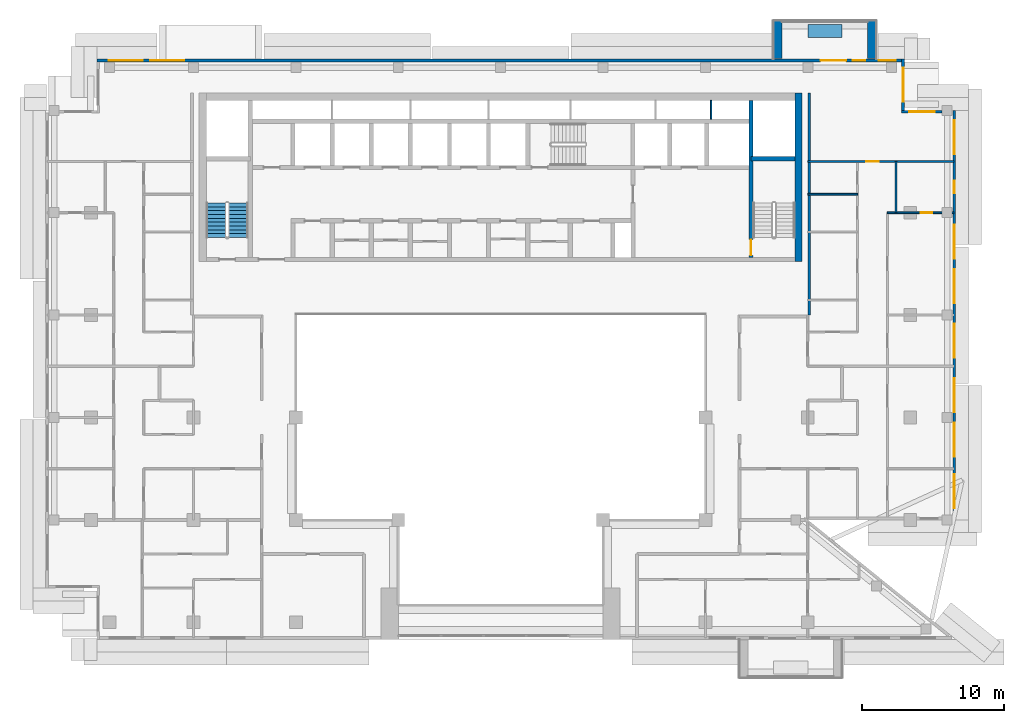
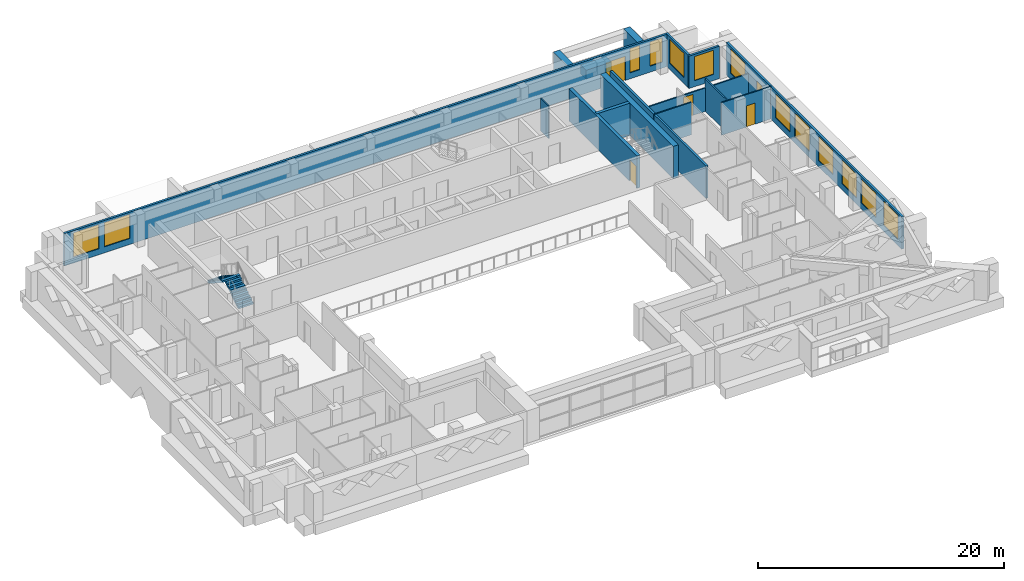
# One storey, part 11 of 19: 16 walls, 14 windows, 4 doors, 2 stair flights, 18 openings, 1 element without a shape of its own.
"""IFC4 building model written with IfcOpenShell, lengths in metres."""

from ifc_helpers import new_model, si_unit, direction, frame, frame_2d, origin, place, context, subcontext, project, spatial, polyline, rectangle, outline, extrude, material, layer, layer_set, type_object, element, fill, aggregate, save


model = new_model("IFC4")

# Units and contexts
model_context = context("Model", 3, precision=1e-05, world=origin(), true_north=direction((0.0, 1.0)))
body_context = subcontext(model_context, "Body", "Model", "MODEL_VIEW")
ifc_project = project(units=[si_unit("LENGTHUNIT", "METRE"), si_unit("AREAUNIT", "SQUARE_METRE"), si_unit("VOLUMEUNIT", "CUBIC_METRE"), si_unit("PLANEANGLEUNIT", "RADIAN"), si_unit("MASSUNIT", "GRAM", prefix="KILO")], contexts=[model_context])

# Site, building, storey
site_placement = place(None, origin())
site = spatial("IfcSite", under=ifc_project, at=site_placement, CompositionType="ELEMENT")
building_placement = place(site_placement, origin())
building = spatial("IfcBuilding", under=site, at=building_placement, Name="Saffron Iwan Residences", CompositionType="ELEMENT")
storey_placement = place(building_placement, frame((0.0, 0.0, 215.0)))
storey = spatial("IfcBuildingStorey", under=building, at=storey_placement, Name="L57", CompositionType="ELEMENT", Elevation=215.0)

# Walls
ifc_material_1 = material(Name="Concrete C50/60 white painted", Category="concrete")
ifc_layer_1 = layer(ifc_material_1, 0.60009765625)
ifc_layer_set_1 = layer_set([ifc_layer_1], Name="Concrete C50/60 white painted")
wall_type_1 = type_object("IfcWallType", Name="BALCONY FIN 600", PredefinedType="SOLIDWALL", material=ifc_layer_set_1)
for number, where, z_axis, x_axis, name in (
    (1, (76.5, 80.449951171875, 0.0), (0.0, 0.0, 1.0), (0.0, 1.0, 0.0), "Balcony fin L57 F5-0a"),
    (2, (69.89990234375, 80.449951171875, 0.0), (0.0, 0.0, 1.0), (0.0, 1.0, 0.0), "Balcony fin L57 F5-0b"),
):
    element("IfcWall", number, at=place(storey_placement, frame(where, z_axis=z_axis, x_axis=x_axis)), inside=storey, type_object=wall_type_1, Name=name, PredefinedType="SOLIDWALL", context=body_context, shape_type="SweptSolid", body=[
        extrude(rectangle(XDim=2.650146484375, YDim=0.60009765625, at=frame_2d((1.3251953125, 0.0))), origin(), (0.0, 0.0, 1.0), 2.85009765625),
    ])
ifc_material_2 = material(Name="Concrete C35/45 white painted", Category="concrete")
ifc_layer_2 = layer(ifc_material_2, 0.14990234375)
ifc_layer_set_2 = layer_set([ifc_layer_2], Name="Concrete C35/45 white painted")
wall_type_2 = type_object("IfcWallType", Name="BALCONY PLANTER", PredefinedType="SOLIDWALL", material=ifc_layer_set_2)
wall_1_placement = place(storey_placement, frame((74.39990234375, 82.375, 0.0), z_axis=(0.0, 0.0, 1.0), x_axis=(-1.0, 0.0, 0.0)))
element("IfcWall", 3, at=wall_1_placement, inside=storey, type_object=wall_type_2, Name="PLANTER L57 F5-0", PredefinedType="SOLIDWALL", context=body_context, shape_type="SweptSolid", body=[
    extrude(rectangle(XDim=2.39990234375, YDim=0.89990234375, at=frame_2d((1.199951171875, 0.0))), origin(), (0.0, 0.0, 1.0), 0.89990234375),
])

# Wall, openings, windows
ifc_material_3 = material(Name="Concrete C40/50", Category="concrete")
ifc_layer_3 = layer(ifc_material_3, 0.199951171875)
ifc_layer_set_3 = layer_set([ifc_layer_3], Name="Concrete C40/50")
wall_type_3 = type_object("IfcWallType", Name="EXTERNAL WALL 200", PredefinedType="SOLIDWALL", material=ifc_layer_set_3)
wall_2_placement = place(storey_placement, frame((82.300048828125, 48.199951171875, 0.0), z_axis=(0.0, 0.0, 1.0), x_axis=(0.0, 1.0, 0.0)))
wall_2 = element("IfcWall", 4, at=wall_2_placement, inside=storey, type_object=wall_type_3, Name="External wall L57 F2.0", PredefinedType="SOLIDWALL", context=body_context, shape_type="SweptSolid", body=[
    extrude(rectangle(XDim=28.60009765625, YDim=0.199951171875, at=frame_2d((14.300048828125, 0.0))), origin(), (0.0, 0.0, 1.0), 3.219970703125),
])
opening_1_placement = place(wall_2_placement, frame((0.60009765625, 0.0, 0.60009765625)))
opening_1 = element("IfcOpeningElement", 5, at=opening_1_placement, cuts=wall_2, Name="Opening W1", PredefinedType="OPENING", context=body_context, shape_type="SweptSolid", body=[
    extrude(rectangle(XDim=2.39990234375, YDim=2.39990234375, at=frame_2d((1.199951171875, 1.199951171875))), frame((0.0, 0.10986328125, 0.0), z_axis=(0.0, -1.0, 0.0), x_axis=(1.0, 0.0, 0.0)), (0.0, 0.0, 1.0), 0.219970703125),
])
opening_2_placement = place(wall_2_placement, frame((4.2333984375, 0.0, 0.60009765625)))
opening_2 = element("IfcOpeningElement", 6, at=opening_2_placement, cuts=wall_2, Name="Opening W1", PredefinedType="OPENING", context=body_context, shape_type="SweptSolid", body=[
    extrude(rectangle(XDim=2.39990234375, YDim=2.39990234375, at=frame_2d((1.199951171875, 1.199951171875))), frame((0.0, 0.10986328125, 0.0), z_axis=(0.0, -1.0, 0.0), x_axis=(1.0, 0.0, 0.0)), (0.0, 0.0, 1.0), 0.219970703125),
])
opening_3_placement = place(wall_2_placement, frame((7.36669921875, 0.0, 0.60009765625)))
opening_3 = element("IfcOpeningElement", 7, at=opening_3_placement, cuts=wall_2, Name="Opening W1", PredefinedType="OPENING", context=body_context, shape_type="SweptSolid", body=[
    extrude(rectangle(XDim=2.39990234375, YDim=2.39990234375, at=frame_2d((1.199951171875, 1.199951171875))), frame((0.0, 0.10986328125, 0.0), z_axis=(0.0, -1.0, 0.0), x_axis=(1.0, 0.0, 0.0)), (0.0, 0.0, 1.0), 0.219970703125),
])
opening_4_placement = place(wall_2_placement, frame((11.199951171875, 0.0, 0.60009765625)))
opening_4 = element("IfcOpeningElement", 8, at=opening_4_placement, cuts=wall_2, Name="Opening W1", PredefinedType="OPENING", context=body_context, shape_type="SweptSolid", body=[
    extrude(rectangle(XDim=2.39990234375, YDim=2.39990234375, at=frame_2d((1.199951171875, 1.199951171875))), frame((0.0, 0.10986328125, 0.0), z_axis=(0.0, -1.0, 0.0), x_axis=(1.0, 0.0, 0.0)), (0.0, 0.0, 1.0), 0.219970703125),
])
opening_5_placement = place(wall_2_placement, frame((15.033203125, 0.0, 0.60009765625)))
opening_5 = element("IfcOpeningElement", 9, at=opening_5_placement, cuts=wall_2, Name="Opening W1", PredefinedType="OPENING", context=body_context, shape_type="SweptSolid", body=[
    extrude(rectangle(XDim=2.39990234375, YDim=2.39990234375, at=frame_2d((1.199951171875, 1.199951171875))), frame((0.0, 0.10986328125, 0.0), z_axis=(0.0, -1.0, 0.0), x_axis=(1.0, 0.0, 0.0)), (0.0, 0.0, 1.0), 0.219970703125),
])
opening_6_placement = place(wall_2_placement, frame((18.166748046875, 0.0, 0.60009765625)))
opening_6 = element("IfcOpeningElement", 10, at=opening_6_placement, cuts=wall_2, Name="Opening W1", PredefinedType="OPENING", context=body_context, shape_type="SweptSolid", body=[
    extrude(rectangle(XDim=2.39990234375, YDim=2.39990234375, at=frame_2d((1.199951171875, 1.199951171875))), frame((0.0, 0.10986328125, 0.0), z_axis=(0.0, -1.0, 0.0), x_axis=(1.0, 0.0, 0.0)), (0.0, 0.0, 1.0), 0.219970703125),
])
opening_7_placement = place(wall_2_placement, frame((22.75, 0.0, 1.5)))
opening_7 = element("IfcOpeningElement", 11, at=opening_7_placement, cuts=wall_2, Name="Opening W6", PredefinedType="OPENING", context=body_context, shape_type="SweptSolid", body=[
    extrude(rectangle(XDim=0.89990234375, YDim=0.89990234375, at=frame_2d((0.449951171875, 0.449951171875))), frame((0.0, 0.10986328125, 0.0), z_axis=(0.0, -1.0, 0.0), x_axis=(1.0, 0.0, 0.0)), (0.0, 0.0, 1.0), 0.219970703125),
])
opening_8_placement = place(wall_2_placement, frame((25.5, 0.0, 0.60009765625)))
opening_8 = element("IfcOpeningElement", 12, at=opening_8_placement, cuts=wall_2, Name="Opening W1", PredefinedType="OPENING", context=body_context, shape_type="SweptSolid", body=[
    extrude(rectangle(XDim=2.39990234375, YDim=2.39990234375, at=frame_2d((1.199951171875, 1.199951171875))), frame((0.0, 0.10986328125, 0.0), z_axis=(0.0, -1.0, 0.0), x_axis=(1.0, 0.0, 0.0)), (0.0, 0.0, 1.0), 0.219970703125),
])
ifc_material_4 = material(Name="Clear glass, laminated double glazed", Category="glass")
window_type_1 = type_object("IfcWindowType", Name="WINDOW 2400 x 2400", PartitioningType="DOUBLE_PANEL_VERTICAL", PredefinedType="WINDOW", material=ifc_material_4)
window_1_placement = place(opening_1_placement, origin())
window_1 = element("IfcWindow", 13, at=window_1_placement, inside=storey, type_object=window_type_1, Name="Window L57 F2.0", OverallHeight=2.39990234375, OverallWidth=2.39990234375, PartitioningType="DOUBLE_PANEL_VERTICAL", PredefinedType="WINDOW", context=body_context, shape_type="SweptSolid", body=[
    extrude(rectangle(XDim=2.39990234375, YDim=2.39990234375, at=frame_2d((1.199951171875, 1.199951171875))), frame((0.0, 0.030029296875, 0.0), z_axis=(0.0, -1.0, 0.0), x_axis=(1.0, 0.0, 0.0)), (0.0, 0.0, 1.0), 0.06005859375),
])
fill(opening_1, window_1)
window_2_placement = place(opening_2_placement, origin())
window_2 = element("IfcWindow", 14, at=window_2_placement, inside=storey, type_object=window_type_1, Name="Window L57 F2.1", OverallHeight=2.39990234375, OverallWidth=2.39990234375, PartitioningType="DOUBLE_PANEL_VERTICAL", PredefinedType="WINDOW", context=body_context, shape_type="SweptSolid", body=[
    extrude(rectangle(XDim=2.39990234375, YDim=2.39990234375, at=frame_2d((1.199951171875, 1.199951171875))), frame((0.0, 0.030029296875, 0.0), z_axis=(0.0, -1.0, 0.0), x_axis=(1.0, 0.0, 0.0)), (0.0, 0.0, 1.0), 0.06005859375),
])
fill(opening_2, window_2)
window_3_placement = place(opening_3_placement, origin())
window_3 = element("IfcWindow", 15, at=window_3_placement, inside=storey, type_object=window_type_1, Name="Window L57 F2.2", OverallHeight=2.39990234375, OverallWidth=2.39990234375, PartitioningType="DOUBLE_PANEL_VERTICAL", PredefinedType="WINDOW", context=body_context, shape_type="SweptSolid", body=[
    extrude(rectangle(XDim=2.39990234375, YDim=2.39990234375, at=frame_2d((1.199951171875, 1.199951171875))), frame((0.0, 0.030029296875, 0.0), z_axis=(0.0, -1.0, 0.0), x_axis=(1.0, 0.0, 0.0)), (0.0, 0.0, 1.0), 0.06005859375),
])
fill(opening_3, window_3)
window_4_placement = place(opening_4_placement, origin())
window_4 = element("IfcWindow", 16, at=window_4_placement, inside=storey, type_object=window_type_1, Name="Window L57 F2.3", OverallHeight=2.39990234375, OverallWidth=2.39990234375, PartitioningType="DOUBLE_PANEL_VERTICAL", PredefinedType="WINDOW", context=body_context, shape_type="SweptSolid", body=[
    extrude(rectangle(XDim=2.39990234375, YDim=2.39990234375, at=frame_2d((1.199951171875, 1.199951171875))), frame((0.0, 0.030029296875, 0.0), z_axis=(0.0, -1.0, 0.0), x_axis=(1.0, 0.0, 0.0)), (0.0, 0.0, 1.0), 0.06005859375),
])
fill(opening_4, window_4)
window_5_placement = place(opening_5_placement, origin())
window_5 = element("IfcWindow", 17, at=window_5_placement, inside=storey, type_object=window_type_1, Name="Window L57 F2.4", OverallHeight=2.39990234375, OverallWidth=2.39990234375, PartitioningType="DOUBLE_PANEL_VERTICAL", PredefinedType="WINDOW", context=body_context, shape_type="SweptSolid", body=[
    extrude(rectangle(XDim=2.39990234375, YDim=2.39990234375, at=frame_2d((1.199951171875, 1.199951171875))), frame((0.0, 0.030029296875, 0.0), z_axis=(0.0, -1.0, 0.0), x_axis=(1.0, 0.0, 0.0)), (0.0, 0.0, 1.0), 0.06005859375),
])
fill(opening_5, window_5)
window_6_placement = place(opening_6_placement, origin())
window_6 = element("IfcWindow", 18, at=window_6_placement, inside=storey, type_object=window_type_1, Name="Window L57 F2.5", OverallHeight=2.39990234375, OverallWidth=2.39990234375, PartitioningType="DOUBLE_PANEL_VERTICAL", PredefinedType="WINDOW", context=body_context, shape_type="SweptSolid", body=[
    extrude(rectangle(XDim=2.39990234375, YDim=2.39990234375, at=frame_2d((1.199951171875, 1.199951171875))), frame((0.0, 0.030029296875, 0.0), z_axis=(0.0, -1.0, 0.0), x_axis=(1.0, 0.0, 0.0)), (0.0, 0.0, 1.0), 0.06005859375),
])
fill(opening_6, window_6)
window_7_placement = place(opening_8_placement, origin())
window_7 = element("IfcWindow", 19, at=window_7_placement, inside=storey, type_object=window_type_1, Name="Window L57 F2.7", OverallHeight=2.39990234375, OverallWidth=2.39990234375, PartitioningType="DOUBLE_PANEL_VERTICAL", PredefinedType="WINDOW", context=body_context, shape_type="SweptSolid", body=[
    extrude(rectangle(XDim=2.39990234375, YDim=2.39990234375, at=frame_2d((1.199951171875, 1.199951171875))), frame((0.0, 0.030029296875, 0.0), z_axis=(0.0, -1.0, 0.0), x_axis=(1.0, 0.0, 0.0)), (0.0, 0.0, 1.0), 0.06005859375),
])
fill(opening_8, window_7)
window_type_2 = type_object("IfcWindowType", Name="WINDOW 900 x 900 BATH", PartitioningType="SINGLE_PANEL", PredefinedType="WINDOW", material=ifc_material_4)
window_8_placement = place(opening_7_placement, origin())
window_8 = element("IfcWindow", 20, at=window_8_placement, inside=storey, type_object=window_type_2, Name="Window L57 F2.6", OverallHeight=0.89990234375, OverallWidth=0.89990234375, PartitioningType="SINGLE_PANEL", PredefinedType="WINDOW", context=body_context, shape_type="SweptSolid", body=[
    extrude(rectangle(XDim=0.89990234375, YDim=0.89990234375, at=frame_2d((0.449951171875, 0.449951171875))), frame((0.0, 0.030029296875, 0.0), z_axis=(0.0, -1.0, 0.0), x_axis=(1.0, 0.0, 0.0)), (0.0, 0.0, 1.0), 0.06005859375),
])
fill(opening_7, window_8)

# Wall, opening, window
wall_3_placement = place(storey_placement, frame((81.449951171875, 76.699951171875, 0.0), z_axis=(0.0, 0.0, 1.0), x_axis=(-1.0, 0.0, 0.0)))
wall_3 = element("IfcWall", 21, at=wall_3_placement, inside=storey, type_object=wall_type_3, Name="External wall L57 F3.0", PredefinedType="SOLIDWALL", context=body_context, shape_type="SweptSolid", body=[
    extrude(rectangle(XDim=2.849853515625, YDim=0.199951171875, at=frame_2d((1.4248046875, 0.0))), origin(), (0.0, 0.0, 1.0), 3.219970703125),
])
opening_9_placement = place(wall_3_placement, frame((0.52490234375, 0.0, 0.60009765625)))
opening_9 = element("IfcOpeningElement", 22, at=opening_9_placement, cuts=wall_3, Name="Opening W8", PredefinedType="OPENING", context=body_context, shape_type="SweptSolid", body=[
    extrude(rectangle(XDim=1.800048828125, YDim=2.39990234375, at=frame_2d((0.89990234375, 1.199951171875))), frame((0.0, 0.10986328125, 0.0), z_axis=(0.0, -1.0, 0.0), x_axis=(1.0, 0.0, 0.0)), (0.0, 0.0, 1.0), 0.219970703125),
])
window_type_3 = type_object("IfcWindowType", Name="WINDOW 1800 x 2400", PartitioningType="DOUBLE_PANEL_VERTICAL", PredefinedType="WINDOW", material=ifc_material_4)
window_9_placement = place(opening_9_placement, origin())
window_9 = element("IfcWindow", 23, at=window_9_placement, inside=storey, type_object=window_type_3, Name="Window L57 F3.0", OverallHeight=2.39990234375, OverallWidth=1.800048828125, PartitioningType="DOUBLE_PANEL_VERTICAL", PredefinedType="WINDOW", context=body_context, shape_type="SweptSolid", body=[
    extrude(rectangle(XDim=1.800048828125, YDim=2.39990234375, at=frame_2d((0.89990234375, 1.199951171875))), frame((0.0, 0.030029296875, 0.0), z_axis=(0.0, -1.0, 0.0), x_axis=(1.0, 0.0, 0.0)), (0.0, 0.0, 1.0), 0.06005859375),
])
fill(opening_9, window_9)

wall_4_placement = place(storey_placement, frame((78.699951171875, 76.800048828125, 0.0), z_axis=(0.0, 0.0, 1.0), x_axis=(0.0, 1.0, 0.0)))
wall_4 = element("IfcWall", 24, at=wall_4_placement, inside=storey, type_object=wall_type_3, Name="External wall L57 F4.0", PredefinedType="SOLIDWALL", context=body_context, shape_type="SweptSolid", body=[
    extrude(rectangle(XDim=3.599853515625, YDim=0.199951171875, at=frame_2d((1.7998046875, 0.0))), origin(), (0.0, 0.0, 1.0), 3.219970703125),
])
opening_10_placement = place(wall_4_placement, frame((0.60009765625, 0.0, 0.60009765625)))
opening_10 = element("IfcOpeningElement", 25, at=opening_10_placement, cuts=wall_4, Name="Opening W1", PredefinedType="OPENING", context=body_context, shape_type="SweptSolid", body=[
    extrude(rectangle(XDim=2.39990234375, YDim=2.39990234375, at=frame_2d((1.199951171875, 1.199951171875))), frame((0.0, 0.10986328125, 0.0), z_axis=(0.0, -1.0, 0.0), x_axis=(1.0, 0.0, 0.0)), (0.0, 0.0, 1.0), 0.219970703125),
])
window_10_placement = place(opening_10_placement, origin())
window_10 = element("IfcWindow", 26, at=window_10_placement, inside=storey, type_object=window_type_1, Name="Window L57 F4.0", OverallHeight=2.39990234375, OverallWidth=2.39990234375, PartitioningType="DOUBLE_PANEL_VERTICAL", PredefinedType="WINDOW", context=body_context, shape_type="SweptSolid", body=[
    extrude(rectangle(XDim=2.39990234375, YDim=2.39990234375, at=frame_2d((1.199951171875, 1.199951171875))), frame((0.0, 0.030029296875, 0.0), z_axis=(0.0, -1.0, 0.0), x_axis=(1.0, 0.0, 0.0)), (0.0, 0.0, 1.0), 0.06005859375),
])
fill(opening_10, window_10)

# Wall, openings, door, windows
wall_5_placement = place(storey_placement, frame((78.60009765625, 80.300048828125, 0.0), z_axis=(0.0, 0.0, 1.0), x_axis=(-1.0, 0.0, 0.0)))
wall_5 = element("IfcWall", 27, at=wall_5_placement, inside=storey, type_object=wall_type_3, Name="External wall L57 F5.0", PredefinedType="SOLIDWALL", context=body_context, shape_type="SweptSolid", body=[
    extrude(rectangle(XDim=56.60009765625, YDim=0.199951171875, at=frame_2d((28.300048828125, 0.0))), origin(), (0.0, 0.0, 1.0), 3.219970703125),
])
opening_11_placement = place(wall_5_placement, frame((3.89990234375, 0.0, 0.0)))
opening_11 = element("IfcOpeningElement", 28, at=opening_11_placement, cuts=wall_5, Name="Opening BD1", PredefinedType="OPENING", context=body_context, shape_type="SweptSolid", body=[
    extrude(rectangle(XDim=1.800048828125, YDim=2.39990234375, at=frame_2d((0.89990234375, 1.199951171875))), frame((0.0, 0.10986328125, 0.0), z_axis=(0.0, -1.0, 0.0), x_axis=(1.0, 0.0, 0.0)), (0.0, 0.0, 1.0), 0.219970703125),
])
opening_12_placement = place(wall_5_placement, frame((50.433349609375, 0.0, 0.60009765625)))
opening_12 = element("IfcOpeningElement", 29, at=opening_12_placement, cuts=wall_5, Name="Opening W1", PredefinedType="OPENING", context=body_context, shape_type="SweptSolid", body=[
    extrude(rectangle(XDim=2.39990234375, YDim=2.39990234375, at=frame_2d((1.199951171875, 1.199951171875))), frame((0.0, 0.10986328125, 0.0), z_axis=(0.0, -1.0, 0.0), x_axis=(1.0, 0.0, 0.0)), (0.0, 0.0, 1.0), 0.219970703125),
])
opening_13_placement = place(wall_5_placement, frame((53.36669921875, 0.0, 0.60009765625)))
opening_13 = element("IfcOpeningElement", 30, at=opening_13_placement, cuts=wall_5, Name="Opening W1", PredefinedType="OPENING", context=body_context, shape_type="SweptSolid", body=[
    extrude(rectangle(XDim=2.39990234375, YDim=2.39990234375, at=frame_2d((1.199951171875, 1.199951171875))), frame((0.0, 0.10986328125, 0.0), z_axis=(0.0, -1.0, 0.0), x_axis=(1.0, 0.0, 0.0)), (0.0, 0.0, 1.0), 0.219970703125),
])
opening_14_placement = place(wall_5_placement, frame((0.39990234375, 0.0, 0.60009765625)))
opening_14 = element("IfcOpeningElement", 31, at=opening_14_placement, cuts=wall_5, Name="Opening W3", PredefinedType="OPENING", context=body_context, shape_type="SweptSolid", body=[
    extrude(rectangle(XDim=1.199951171875, YDim=2.39990234375, at=frame_2d((0.60009765625, 1.199951171875))), frame((0.0, 0.10986328125, 0.0), z_axis=(0.0, -1.0, 0.0), x_axis=(1.0, 0.0, 0.0)), (0.0, 0.0, 1.0), 0.219970703125),
])
opening_15_placement = place(wall_5_placement, frame((2.550048828125, 0.0, 0.60009765625)))
opening_15 = element("IfcOpeningElement", 32, at=opening_15_placement, cuts=wall_5, Name="Opening W10", PredefinedType="OPENING", context=body_context, shape_type="SweptSolid", body=[
    extrude(rectangle(XDim=0.89990234375, YDim=2.39990234375, at=frame_2d((0.449951171875, 1.199951171875))), frame((0.0, 0.10986328125, 0.0), z_axis=(0.0, -1.0, 0.0), x_axis=(1.0, 0.0, 0.0)), (0.0, 0.0, 1.0), 0.219970703125),
])
door_type_1 = type_object("IfcDoorType", Name="BALCONY DOOR 1800 x 2400", OperationType="DOUBLE_DOOR_SLIDING", PredefinedType="DOOR", material=ifc_material_4)
door_1_placement = place(opening_11_placement, origin())
door_1 = element("IfcDoor", 33, at=door_1_placement, inside=storey, type_object=door_type_1, Name="Balcony door L57 F5.0", OperationType="DOUBLE_DOOR_SLIDING", OverallHeight=2.39990234375, OverallWidth=1.800048828125, PredefinedType="DOOR", context=body_context, shape_type="SweptSolid", body=[
    extrude(rectangle(XDim=1.800048828125, YDim=2.39990234375, at=frame_2d((0.89990234375, 1.199951171875))), frame((0.0, 0.02490234375, 0.0), z_axis=(0.0, -1.0, 0.0), x_axis=(1.0, 0.0, 0.0)), (0.0, 0.0, 1.0), 0.050048828125),
])
fill(opening_11, door_1)
window_type_4 = type_object("IfcWindowType", Name="WINDOW 1200 x 2400", PartitioningType="SINGLE_PANEL", PredefinedType="WINDOW", material=ifc_material_4)
window_11_placement = place(opening_14_placement, origin())
window_11 = element("IfcWindow", 34, at=window_11_placement, inside=storey, type_object=window_type_4, Name="Window L57 F5.3", OverallHeight=2.39990234375, OverallWidth=1.199951171875, PartitioningType="SINGLE_PANEL", PredefinedType="WINDOW", context=body_context, shape_type="SweptSolid", body=[
    extrude(rectangle(XDim=1.199951171875, YDim=2.39990234375, at=frame_2d((0.60009765625, 1.199951171875))), frame((0.0, 0.030029296875, 0.0), z_axis=(0.0, -1.0, 0.0), x_axis=(1.0, 0.0, 0.0)), (0.0, 0.0, 1.0), 0.06005859375),
])
fill(opening_14, window_11)
window_12_placement = place(opening_12_placement, origin())
window_12 = element("IfcWindow", 35, at=window_12_placement, inside=storey, type_object=window_type_1, Name="Window L57 F5.1", OverallHeight=2.39990234375, OverallWidth=2.39990234375, PartitioningType="DOUBLE_PANEL_VERTICAL", PredefinedType="WINDOW", context=body_context, shape_type="SweptSolid", body=[
    extrude(rectangle(XDim=2.39990234375, YDim=2.39990234375, at=frame_2d((1.199951171875, 1.199951171875))), frame((0.0, 0.030029296875, 0.0), z_axis=(0.0, -1.0, 0.0), x_axis=(1.0, 0.0, 0.0)), (0.0, 0.0, 1.0), 0.06005859375),
])
fill(opening_12, window_12)
window_13_placement = place(opening_13_placement, origin())
window_13 = element("IfcWindow", 36, at=window_13_placement, inside=storey, type_object=window_type_1, Name="Window L57 F5.2", OverallHeight=2.39990234375, OverallWidth=2.39990234375, PartitioningType="DOUBLE_PANEL_VERTICAL", PredefinedType="WINDOW", context=body_context, shape_type="SweptSolid", body=[
    extrude(rectangle(XDim=2.39990234375, YDim=2.39990234375, at=frame_2d((1.199951171875, 1.199951171875))), frame((0.0, 0.030029296875, 0.0), z_axis=(0.0, -1.0, 0.0), x_axis=(1.0, 0.0, 0.0)), (0.0, 0.0, 1.0), 0.06005859375),
])
fill(opening_13, window_13)
window_type_5 = type_object("IfcWindowType", Name="WINDOW 900 x 2400", PartitioningType="SINGLE_PANEL", PredefinedType="WINDOW", material=ifc_material_4)
window_14_placement = place(opening_15_placement, origin())
window_14 = element("IfcWindow", 37, at=window_14_placement, inside=storey, type_object=window_type_5, Name="Window L57 F5.4", OverallHeight=2.39990234375, OverallWidth=0.89990234375, PartitioningType="SINGLE_PANEL", PredefinedType="WINDOW", context=body_context, shape_type="SweptSolid", body=[
    extrude(rectangle(XDim=0.89990234375, YDim=2.39990234375, at=frame_2d((0.449951171875, 1.199951171875))), frame((0.0, 0.030029296875, 0.0), z_axis=(0.0, -1.0, 0.0), x_axis=(1.0, 0.0, 0.0)), (0.0, 0.0, 1.0), 0.06005859375),
])
fill(opening_15, window_14)

# Wall, opening, door
ifc_material_5 = material(Name="Gypsum board partition")
ifc_layer_4 = layer(ifc_material_5, 0.1201171875)
ifc_layer_set_4 = layer_set([ifc_layer_4], Name="Gypsum board partition")
wall_type_4 = type_object("IfcWallType", Name="Flat partition 120", PredefinedType="PARTITIONING", material=ifc_layer_set_4)
wall_6_placement = place(storey_placement, frame((77.60009765625, 69.60009765625, 0.0), z_axis=(0.0, 0.0, 1.0), x_axis=(1.0, 0.0, 0.0)))
wall_6 = element("IfcWall", 38, at=wall_6_placement, inside=storey, type_object=wall_type_4, Name="W-L57-PART-h69.6-77.6", PredefinedType="PARTITIONING", context=body_context, shape_type="SweptSolid", body=[
    extrude(rectangle(XDim=4.6748046875, YDim=0.1201171875, at=frame_2d((2.33740234375, 0.0))), origin(), (0.0, 0.0, 1.0), 3.219970703125),
])
opening_16_placement = place(wall_6_placement, frame((2.33740234375, 0.0, 0.0)))
opening_16 = element("IfcOpeningElement", 39, at=opening_16_placement, cuts=wall_6, Name="Opening FD3", PredefinedType="OPENING", context=body_context, shape_type="SweptSolid", body=[
    extrude(rectangle(XDim=0.800048828125, YDim=2.10009765625, at=frame_2d((0.39990234375, 1.050048828125))), frame((0.0, 0.070068359375, 0.0), z_axis=(0.0, -1.0, 0.0), x_axis=(1.0, 0.0, 0.0)), (0.0, 0.0, 1.0), 0.14013671875),
])
ifc_material_6 = material(Name="Timber door", Category="wood")
door_type_2 = type_object("IfcDoorType", Name="Bathroom door 800", OperationType="NOTDEFINED", PredefinedType="DOOR", material=ifc_material_6)
door_2_placement = place(opening_16_placement, origin())
door_2 = element("IfcDoor", 40, at=door_2_placement, inside=storey, type_object=door_type_2, Name="Door L57-034", OperationType="SINGLE_SWING_LEFT", OverallHeight=2.10009765625, OverallWidth=0.800048828125, PredefinedType="DOOR", context=body_context, shape_type="SweptSolid", body=[
    extrude(rectangle(XDim=0.800048828125, YDim=2.10009765625, at=frame_2d((0.39990234375, 1.050048828125))), frame((0.0, 0.02490234375, 0.0), z_axis=(0.0, -1.0, 0.0), x_axis=(1.0, 0.0, 0.0)), (0.0, 0.0, 1.0), 0.050048828125),
])
fill(opening_16, door_2)

# Wall
wall_7_placement = place(storey_placement, frame((72.0, 70.89990234375, 0.0), z_axis=(0.0, 0.0, 1.0), x_axis=(1.0, 0.0, 0.0)))
element("IfcWall", 41, at=wall_7_placement, inside=storey, type_object=wall_type_4, Name="W-L57-PART-h70.9-72", PredefinedType="PARTITIONING", context=body_context, shape_type="SweptSolid", body=[
    extrude(rectangle(XDim=3.5, YDim=0.1201171875, at=frame_2d((1.75, 0.0))), origin(), (0.0, 0.0, 1.0), 3.219970703125),
])

# Wall, opening, door
wall_8_placement = place(storey_placement, frame((72.0, 73.199951171875, 0.0), z_axis=(0.0, 0.0, 1.0), x_axis=(1.0, 0.0, 0.0)))
wall_8 = element("IfcWall", 42, at=wall_8_placement, inside=storey, type_object=wall_type_4, Name="W-L57-PART-h73.2-72", PredefinedType="PARTITIONING", context=body_context, shape_type="SweptSolid", body=[
    extrude(rectangle(XDim=10.27490234375, YDim=0.1201171875, at=frame_2d((5.137451171875, 0.0))), origin(), (0.0, 0.0, 1.0), 2.320068359375),
])
opening_17_placement = place(wall_8_placement, frame((4.10009765625, 0.0, 0.0)))
opening_17 = element("IfcOpeningElement", 43, at=opening_17_placement, cuts=wall_8, Name="Opening FD2", PredefinedType="OPENING", context=body_context, shape_type="SweptSolid", body=[
    extrude(rectangle(XDim=0.89990234375, YDim=2.10009765625, at=frame_2d((0.449951171875, 1.050048828125))), frame((0.0, 0.070068359375, 0.0), z_axis=(0.0, -1.0, 0.0), x_axis=(1.0, 0.0, 0.0)), (0.0, 0.0, 1.0), 0.14013671875),
])
door_type_3 = type_object("IfcDoorType", Name="Flat door 900", OperationType="NOTDEFINED", PredefinedType="DOOR", material=ifc_material_6)
door_3_placement = place(opening_17_placement, origin())
door_3 = element("IfcDoor", 44, at=door_3_placement, inside=storey, type_object=door_type_3, Name="Door L57-035", OperationType="SINGLE_SWING_LEFT", OverallHeight=2.10009765625, OverallWidth=0.89990234375, PredefinedType="DOOR", context=body_context, shape_type="SweptSolid", body=[
    extrude(rectangle(XDim=0.89990234375, YDim=2.10009765625, at=frame_2d((0.449951171875, 1.050048828125))), frame((0.0, 0.02490234375, 0.0), z_axis=(0.0, -1.0, 0.0), x_axis=(1.0, 0.0, 0.0)), (0.0, 0.0, 1.0), 0.050048828125),
])
fill(opening_17, door_3)

# Walls
wall_9_placement = place(storey_placement, frame((78.199951171875, 69.60009765625, 0.0), z_axis=(0.0, 0.0, 1.0), x_axis=(0.0, 1.0, 0.0)))
element("IfcWall", 45, at=wall_9_placement, inside=storey, type_object=wall_type_4, Name="W-L57-PART-v78.2-69.6", PredefinedType="PARTITIONING", context=body_context, shape_type="SweptSolid", body=[
    extrude(rectangle(XDim=3.599853515625, YDim=0.1201171875, at=frame_2d((1.7998046875, 0.0))), origin(), (0.0, 0.0, 1.0), 3.219970703125),
])
ifc_material_7 = material(Name="Fire-rated gypsum board wall")
ifc_layer_5 = layer(ifc_material_7, 0.199951171875)
ifc_layer_set_5 = layer_set([ifc_layer_5], Name="Fire-rated gypsum board wall")
wall_type_5 = type_object("IfcWallType", Name="Gallery wall 200", PredefinedType="SOLIDWALL", material=ifc_layer_set_5)
wall_10_placement = place(storey_placement, frame((72.10009765625, 62.39990234375, 0.0), z_axis=(0.0, 0.0, 1.0), x_axis=(0.0, 1.0, 0.0)))
element("IfcWall", 46, at=wall_10_placement, inside=storey, type_object=wall_type_5, Name="W-L57-CORR-v72-62.4", PredefinedType="SOLIDWALL", context=body_context, shape_type="SweptSolid", body=[
    extrude(rectangle(XDim=15.60009765625, YDim=0.199951171875, at=frame_2d((7.800048828125, 0.0))), origin(), (0.0, 0.0, 1.0), 3.219970703125),
])
ifc_material_8 = material(Name="Fire-rated plasterboard partition")
ifc_layer_6 = layer(ifc_material_8, 0.10009765625)
ifc_layer_set_6 = layer_set([ifc_layer_6], Name="Fire-rated plasterboard partition")
wall_type_6 = type_object("IfcWallType", Name="Riser partition 100", PredefinedType="PARTITIONING", material=ifc_layer_set_6)
wall_11_placement = place(storey_placement, frame((65.199951171875, 76.175048828125, 0.0), z_axis=(0.0, 0.0, 1.0), x_axis=(0.0, 1.0, 0.0)))
element("IfcWall", 47, at=wall_11_placement, inside=storey, type_object=wall_type_6, Name="Core partition P11", PredefinedType="PARTITIONING", context=body_context, shape_type="SweptSolid", body=[
    extrude(rectangle(XDim=1.324951171875, YDim=0.10009765625, at=frame_2d((0.66259765625, 0.0))), origin(), (0.0, 0.0, 1.0), 3.219970703125),
])
ifc_layer_7 = layer(ifc_material_3, 0.300048828125)
ifc_layer_set_7 = layer_set([ifc_layer_7], Name="Concrete C40/50")
wall_type_7 = type_object("IfcWallType", Name="WALL CORE 300 C40/50 3220 HIGH", PredefinedType="SHEAR", material=ifc_layer_set_7)
wall_12_placement = place(storey_placement, frame((68.0, 73.39990234375, 0.0), z_axis=(0.0, 0.0, 1.0), x_axis=(1.0, 0.0, 0.0)))
element("IfcWall", 48, at=wall_12_placement, inside=storey, type_object=wall_type_7, Name="Core wall", PredefinedType="SHEAR", context=body_context, shape_type="SweptSolid", body=[
    extrude(rectangle(XDim=3.10009765625, YDim=0.300048828125, at=frame_2d((1.550048828125, 0.0))), origin(), (0.0, 0.0, 1.0), 3.219970703125),
])

# Wall, opening, door
wall_13_placement = place(storey_placement, frame((68.0, 66.449951171875, 0.0), z_axis=(0.0, 0.0, 1.0), x_axis=(0.0, 1.0, 0.0)))
wall_13 = element("IfcWall", 49, at=wall_13_placement, inside=storey, type_object=wall_type_7, Name="Core wall", PredefinedType="SHEAR", context=body_context, shape_type="SweptSolid", body=[
    extrude(rectangle(XDim=11.050048828125, YDim=0.300048828125, at=frame_2d((5.52490234375, 0.0))), origin(), (0.0, 0.0, 1.0), 3.219970703125),
])
opening_18_placement = place(wall_13_placement, frame((0.14990234375, 0.0, 0.0)))
opening_18 = element("IfcOpeningElement", 50, at=opening_18_placement, cuts=wall_13, Name="Opening SD", PredefinedType="OPENING", context=body_context, shape_type="SweptSolid", body=[
    extrude(rectangle(XDim=1.10009765625, YDim=2.10009765625, at=frame_2d((0.550048828125, 1.050048828125))), frame((0.0, 0.16015625, 0.0), z_axis=(0.0, -1.0, 0.0), x_axis=(1.0, 0.0, 0.0)), (0.0, 0.0, 1.0), 0.320068359375),
])
ifc_material_9 = material(Name="Steel fire door", Category="steel")
door_type_4 = type_object("IfcDoorType", Name="Stair door 1100", OperationType="NOTDEFINED", PredefinedType="DOOR", material=ifc_material_9)
door_4_placement = place(opening_18_placement, origin())
door_4 = element("IfcDoor", 51, at=door_4_placement, inside=storey, type_object=door_type_4, Name="Stair door ST-E", OperationType="SINGLE_SWING_RIGHT", OverallHeight=2.10009765625, OverallWidth=1.10009765625, PredefinedType="DOOR", context=body_context, shape_type="SweptSolid", body=[
    extrude(rectangle(XDim=1.10009765625, YDim=2.10009765625, at=frame_2d((0.550048828125, 1.050048828125))), frame((0.0, 0.02490234375, 0.0), z_axis=(0.0, -1.0, 0.0), x_axis=(1.0, 0.0, 0.0)), (0.0, 0.0, 1.0), 0.050048828125),
])
fill(opening_18, door_4)

# Wall
ifc_layer_8 = layer(ifc_material_3, 0.5)
ifc_layer_set_8 = layer_set([ifc_layer_8], Name="Concrete C40/50")
wall_type_8 = type_object("IfcWallType", Name="WALL CORE 500 C40/50 3220 HIGH", PredefinedType="SHEAR", material=ifc_layer_set_8)
wall_14_placement = place(storey_placement, frame((71.35009765625, 66.14990234375, 0.0), z_axis=(0.0, 0.0, 1.0), x_axis=(0.0, 1.0, 0.0)))
element("IfcWall", 52, at=wall_14_placement, inside=storey, type_object=wall_type_8, Name="Core wall", PredefinedType="SHEAR", context=body_context, shape_type="SweptSolid", body=[
    extrude(rectangle(XDim=11.85009765625, YDim=0.5, at=frame_2d((5.925048828125, 0.0))), origin(), (0.0, 0.0, 1.0), 3.219970703125),
])

# Stair, stair flights
ifc_material_10 = material(Name="Concrete C50/60", Category="concrete")
stair_type = type_object("IfcStairType", Name="Stair ST-CORE", PredefinedType="HALF_TURN_STAIR", material=ifc_material_10)
stair_placement = place(storey_placement, origin())
stair = element("IfcStair", 53, at=stair_placement, inside=storey, type_object=stair_type, Name="L57 Exit Stair ST-W", PredefinedType="HALF_TURN_STAIR")
ifc_layer_9 = layer(ifc_material_10, 0.14990234375)
ifc_layer_set_9 = layer_set([ifc_layer_9], Name="Concrete C50/60")
stair_flight_type = type_object("IfcStairFlightType", Name="Stair flight SFL-RC", PredefinedType="STRAIGHT", material=ifc_layer_set_9)
stair_flight_1_placement = place(storey_placement, frame((31.949951171875, 67.85009765625, 0.0), z_axis=(0.0, 0.0, 1.0), x_axis=(0.0, 1.0, 0.0)))
stair_flight_1 = element("IfcStairFlight", 54, at=stair_flight_1_placement, type_object=stair_flight_type, Name="ST-W flight 1", NumberOfRisers=10, NumberOfTreads=9, PredefinedType="STRAIGHT", RiserHeight=0.175, TreadLength=0.27, context=body_context, shape_type="SweptSolid", body=[
    extrude(outline(polyline([(0.0, 0.0), (0.0, 0.175048828125), (0.27001953125, 0.175048828125), (0.27001953125, 0.35009765625), (0.5400390625, 0.35009765625), (0.5400390625, 0.52490234375), (0.81005859375, 0.52490234375), (0.81005859375, 0.699951171875), (1.080078125, 0.699951171875), (1.080078125, 0.875), (1.35009765625, 0.875), (1.35009765625, 1.050048828125), (1.6201171875, 1.050048828125), (1.6201171875, 1.22509765625), (1.889892578125, 1.22509765625), (1.889892578125, 1.39990234375), (2.159912109375, 1.39990234375), (2.159912109375, 1.574951171875), (2.429931640625, 1.574951171875), (2.429931640625, 1.75), (2.429931640625, 1.396484375), (0.275634765625, 0.0), (0.0, 0.0)])), frame((0.0, 0.699951171875, 0.0), z_axis=(0.0, -1.0, 0.0), x_axis=(1.0, 0.0, 0.0)), (0.0, 0.0, 1.0), 1.39990234375),
])
stair_flight_2_placement = place(storey_placement, frame((30.39990234375, 70.280029296875, 1.75), z_axis=(0.0, 0.0, 1.0), x_axis=(0.0, -1.0, 0.0)))
stair_flight_2 = element("IfcStairFlight", 55, at=stair_flight_2_placement, type_object=stair_flight_type, Name="ST-W flight 2", NumberOfRisers=10, NumberOfTreads=9, PredefinedType="STRAIGHT", RiserHeight=0.175, TreadLength=0.27, context=body_context, shape_type="SweptSolid", body=[
    extrude(outline(polyline([(0.0, 0.0), (0.0, 0.175048828125), (0.27001953125, 0.175048828125), (0.27001953125, 0.35009765625), (0.5400390625, 0.35009765625), (0.5400390625, 0.52490234375), (0.81005859375, 0.52490234375), (0.81005859375, 0.699951171875), (1.080078125, 0.699951171875), (1.080078125, 0.875), (1.35009765625, 0.875), (1.35009765625, 1.050048828125), (1.6201171875, 1.050048828125), (1.6201171875, 1.22509765625), (1.889892578125, 1.22509765625), (1.889892578125, 1.39990234375), (2.159912109375, 1.39990234375), (2.159912109375, 1.574951171875), (2.429931640625, 1.574951171875), (2.429931640625, 1.75), (2.429931640625, 1.396484375), (0.275634765625, 0.0), (0.0, 0.0)])), frame((0.0, 0.699951171875, 0.0), z_axis=(0.0, -1.0, 0.0), x_axis=(1.0, 0.0, 0.0)), (0.0, 0.0, 1.0), 1.39990234375),
])
aggregate(stair, [stair_flight_1, stair_flight_2])

save(model, "model.ifc")
